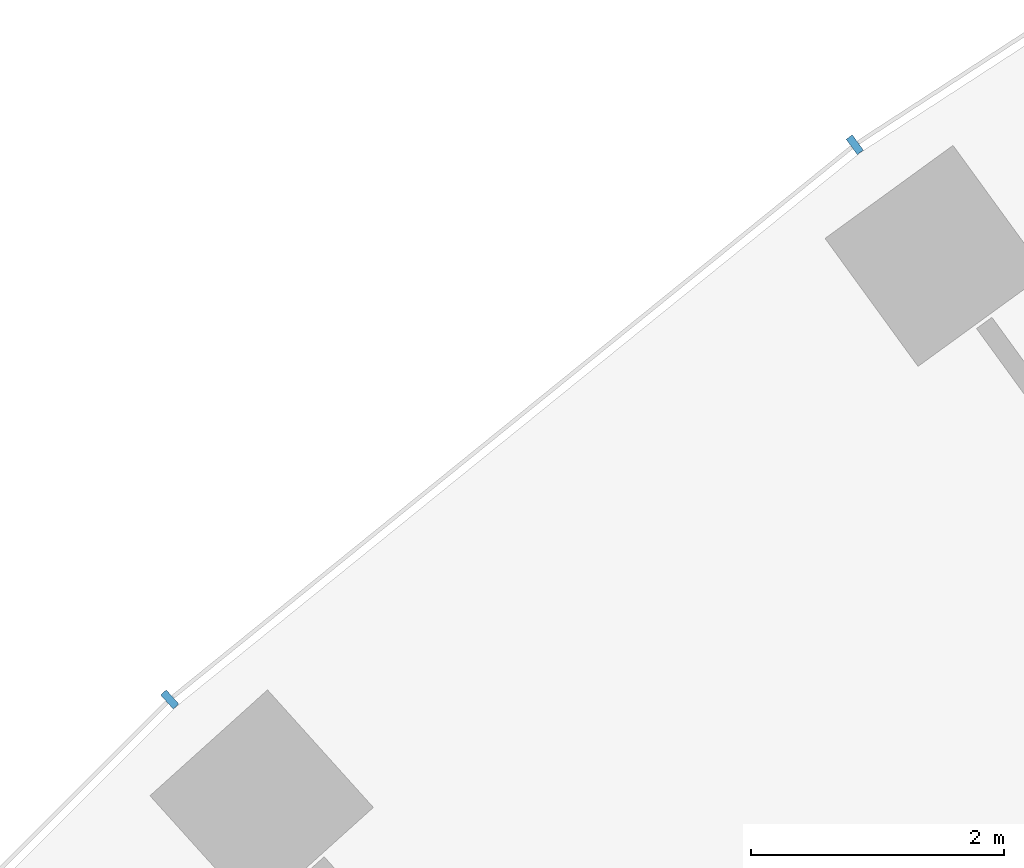
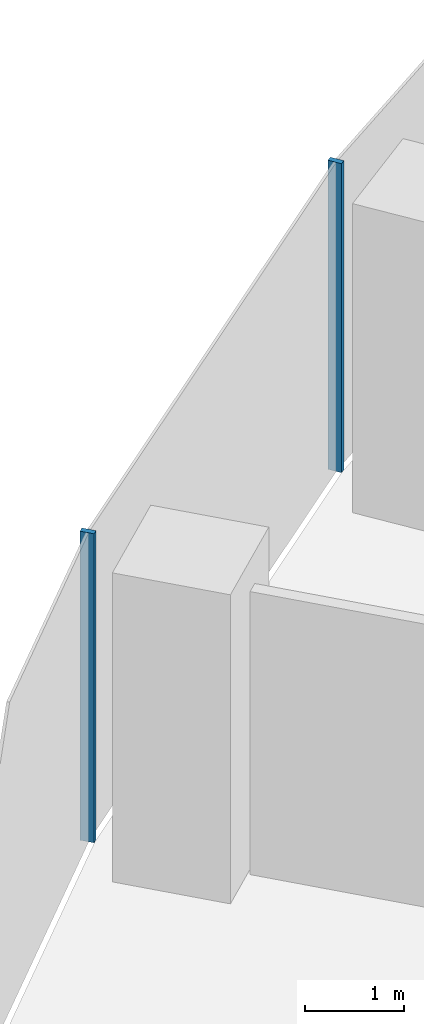
# One storey, part 4 of 21: 2 members, 1 element without a shape of its own.
"""IFC4 building model written with IfcOpenShell, lengths in metres."""

from ifc_helpers import new_model, si_unit, direction, frame, origin, origin_2d, place, context, subcontext, project, spatial, rectangle, extrude, material, layer, layer_set, material_profile, profile_set, type_object, element, aggregate, save


model = new_model("IFC4")

# Units and contexts
model_context = context("Model", 3, precision=1e-05, world=origin(), true_north=direction((0.0, 1.0)))
body_context = subcontext(model_context, "Body", "Model", "MODEL_VIEW")
ifc_project = project(units=[si_unit("LENGTHUNIT", "METRE"), si_unit("AREAUNIT", "SQUARE_METRE"), si_unit("VOLUMEUNIT", "CUBIC_METRE"), si_unit("PLANEANGLEUNIT", "RADIAN"), si_unit("MASSUNIT", "GRAM", prefix="KILO")], contexts=[model_context])

# Site, building, storey
site_placement = place(None, origin())
site = spatial("IfcSite", under=ifc_project, at=site_placement, CompositionType="ELEMENT")
building_placement = place(site_placement, origin())
building = spatial("IfcBuilding", under=site, at=building_placement, Name="Stone Belt Terrace Tower", CompositionType="ELEMENT")
storey_placement = place(building_placement, frame((0.0, 0.0, 56.60009765625)))
storey = spatial("IfcBuildingStorey", under=building, at=storey_placement, Name="L13", CompositionType="ELEMENT", Elevation=56.60009765625)

# Curtain wall, members
ifc_material = material(Name="Aluminium 6063-T6 anodised frame", Category="aluminium")
ifc_layer = layer(ifc_material, 0.14990234375)
ifc_layer_set = layer_set([ifc_layer], Name="CW-A unitised convex-face curtain wall")
curtain_wall_type = type_object("IfcCurtainWallType", Name="CW-A unitised convex-face curtain wall", PredefinedType="NOTDEFINED", material=ifc_layer_set)
curtain_wall_placement = place(storey_placement, origin())
curtain_wall = element("IfcCurtainWall", 1, at=curtain_wall_placement, inside=storey, type_object=curtain_wall_type, Name="CW-A convex face L13", PredefinedType="NOTDEFINED")
ifc_material_profile = material_profile(ifc_material, rectangle(XDim=0.14990234375, YDim=0.06005859375, at=origin_2d()), Name="Aluminium 6063-T6 60x150")
ifc_profile_set = profile_set([ifc_material_profile], Name="Aluminium 6063-T6 anodised frame")
member_type = type_object("IfcMemberType", Name="CW-A mullion 60 x 150", PredefinedType="MULLION", material=ifc_profile_set)
member_1_placement = place(storey_placement, frame((-39.1318359375, 53.8603515625, 0.0), z_axis=(0.0, 0.0, 1.0), x_axis=(0.587785252292, -0.809016994375, 0.0)))
member_1 = element("IfcMember", 2, at=member_1_placement, type_object=member_type, Name="CW-A mullion 15", PredefinedType="MULLION", context=body_context, shape_type="SweptSolid", body=[
    extrude(rectangle(XDim=0.14990234375, YDim=0.06005859375, at=origin_2d()), origin(), (0.0, 0.0, 1.0), 3.7998046875),
])
member_2_placement = place(storey_placement, frame((-44.54736328125, 49.474853515625, 0.0), z_axis=(0.0, 0.0, 1.0), x_axis=(0.669130606359, -0.743144825477, 0.0)))
member_2 = element("IfcMember", 3, at=member_2_placement, type_object=member_type, Name="CW-A mullion 16", PredefinedType="MULLION", context=body_context, shape_type="SweptSolid", body=[
    extrude(rectangle(XDim=0.14990234375, YDim=0.06005859375, at=origin_2d()), origin(), (0.0, 0.0, 1.0), 3.7998046875),
])
aggregate(curtain_wall, [member_1, member_2])

save(model, "model.ifc")
